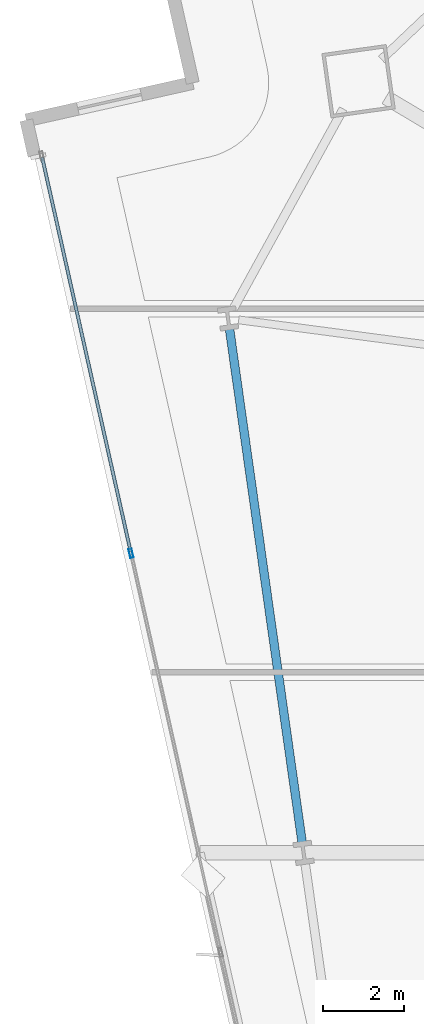
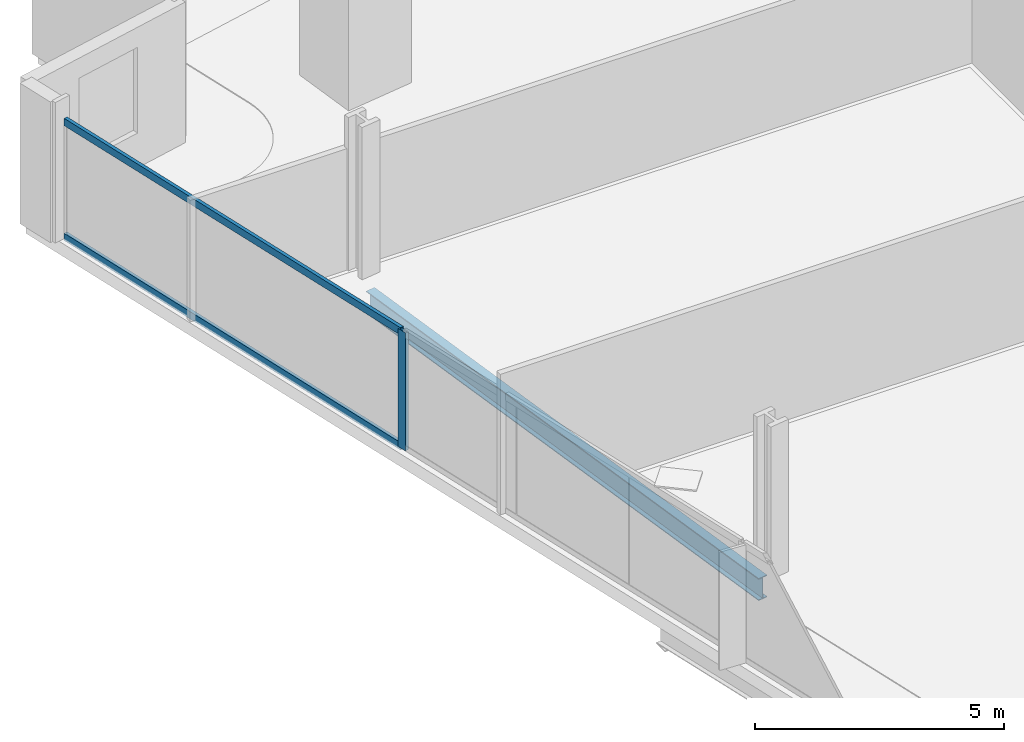
# One storey, part 12 of 32: 3 members, 1 beam, 1 element without a shape of its own.
"""IFC4 building model written with IfcOpenShell, lengths in metres."""

from ifc_helpers import new_model, si_unit, direction, frame, origin, origin_2d, place, context, subcontext, project, spatial, hollow_rectangle, i_section, extrude, material, material_profile, profile_set, type_object, element, aggregate, save


model = new_model("IFC4")

# Units and contexts
model_context = context("Model", 3, precision=1e-05, world=origin(), true_north=direction((0.0, 1.0)))
body_context = subcontext(model_context, "Body", "Model", "MODEL_VIEW")
ifc_project = project(units=[si_unit("LENGTHUNIT", "METRE"), si_unit("AREAUNIT", "SQUARE_METRE"), si_unit("VOLUMEUNIT", "CUBIC_METRE"), si_unit("PLANEANGLEUNIT", "RADIAN"), si_unit("MASSUNIT", "GRAM", prefix="KILO")], contexts=[model_context])

# Site, building, storey
site_placement = place(None, origin())
site = spatial("IfcSite", under=ifc_project, at=site_placement, CompositionType="ELEMENT")
building_placement = place(site_placement, origin())
building = spatial("IfcBuilding", under=site, at=building_placement, Name="Haldenkirk Collegiate Tower", CompositionType="ELEMENT")
storey_placement = place(building_placement, frame((0.0, 0.0, 70.199951171875)))
storey = spatial("IfcBuildingStorey", under=building, at=storey_placement, Name="L16", CompositionType="ELEMENT", Elevation=70.199951171875)

# Beam
ifc_material_1 = material(Name="Steel ASTM A992 Grade 50", Category="steel")
ifc_material_profile_1 = material_profile(ifc_material_1, i_section(OverallWidth=0.2119140625, OverallDepth=0.5439453125, WebThickness=0.01318359375, FlangeThickness=0.021240234375, at=origin_2d()), Name="W21X83")
ifc_profile_set_1 = profile_set([ifc_material_profile_1], Name="Steel ASTM A992 Grade 50")
beam_type = type_object("IfcBeamType", Name="BM-SPANDREL-W21X83", PredefinedType="SPANDREL", material=ifc_profile_set_1)
beam_placement = place(storey_placement, frame((10.30322265625, 35.951171875, -0.58203125), z_axis=(0.140049989419, -0.990144434143, 0.0), x_axis=(0.990144434143, 0.140049989419, 0.0)))
element("IfcBeam", 1, at=beam_placement, inside=storey, type_object=beam_type, Name="L16 perimeter spandrel beam 14", PredefinedType="SPANDREL", context=body_context, shape_type="SweptSolid", body=[
    extrude(i_section(OverallWidth=0.2119140625, OverallDepth=0.5439453125, WebThickness=0.01318359375, FlangeThickness=0.021240234375, at=origin_2d()), origin(), (0.0, 0.0, 1.0), 12.76220703125),
])

# Curtain wall, members
ifc_material_2 = material(Name="Anodised architectural bronze aluminium", Category="aluminium")
curtain_wall_type = type_object("IfcCurtainWallType", Name="CW-SYS1-CONVEX-LOW", PredefinedType="USERDEFINED", material=ifc_material_2)
curtain_wall_placement = place(storey_placement, origin())
curtain_wall = element("IfcCurtainWall", 2, at=curtain_wall_placement, inside=storey, type_object=curtain_wall_type, Name="L16 Lower tower convex bronze-framed unitised curtain wall", ObjectType="UNITISED CURTAIN WALL", PredefinedType="USERDEFINED")
ifc_material_profile_2 = material_profile(ifc_material_2, hollow_rectangle(XDim=0.080078125, YDim=0.219970703125, WallThickness=0.0048828125, at=origin_2d()), Name="CW-MUL-1A")
ifc_profile_set_2 = profile_set([ifc_material_profile_2], Name="Anodised architectural bronze aluminium")
member_type_1 = type_object("IfcMemberType", Name="CW-MUL-1A", PredefinedType="MULLION", material=ifc_profile_set_2)
member_1_placement = place(storey_placement, frame((7.877197265625, 30.429931640625, 0.0), z_axis=(0.0, 0.0, 1.0), x_axis=(-0.975726030258, -0.218994780479, 0.0)))
member_1 = element("IfcMember", 3, at=member_1_placement, type_object=member_type_1, Name="CW-1A mullion 4", PredefinedType="MULLION", context=body_context, shape_type="SweptSolid", body=[
    extrude(hollow_rectangle(XDim=0.080078125, YDim=0.219970703125, WallThickness=0.0048828125, at=origin_2d()), origin(), (0.0, 0.0, 1.0), 2.89111328125),
])
ifc_material_profile_3 = material_profile(ifc_material_2, hollow_rectangle(XDim=0.080078125, YDim=0.179931640625, WallThickness=0.0048828125, at=origin_2d()), Name="CW-TRN-1A")
ifc_profile_set_3 = profile_set([ifc_material_profile_3], Name="Anodised architectural bronze aluminium")
member_type_2 = type_object("IfcMemberType", Name="CW-TRN-1A", PredefinedType="USERDEFINED", material=ifc_profile_set_3)
member_2_placement = place(storey_placement, frame((7.868408203125, 30.468994140625, 0.0400390625), z_axis=(-0.218993047581, 0.975726419193, 0.0), x_axis=(-0.975726419193, -0.218993047581, 0.0)))
member_2 = element("IfcMember", 4, at=member_2_placement, type_object=member_type_2, Name="CW-1A transom 4.1", ObjectType="TRANSOM", PredefinedType="USERDEFINED", context=body_context, shape_type="SweptSolid", body=[
    extrude(hollow_rectangle(XDim=0.080078125, YDim=0.179931640625, WallThickness=0.0048828125, at=origin_2d()), origin(), (0.0, 0.0, 1.0), 9.94873046875),
])
member_3_placement = place(storey_placement, frame((7.868408203125, 30.468994140625, 2.85107421875), z_axis=(-0.218993047581, 0.975726419193, 0.0), x_axis=(-0.975726419193, -0.218993047581, 0.0)))
member_3 = element("IfcMember", 5, at=member_3_placement, type_object=member_type_2, Name="CW-1A transom 4.2", ObjectType="TRANSOM", PredefinedType="USERDEFINED", context=body_context, shape_type="SweptSolid", body=[
    extrude(hollow_rectangle(XDim=0.080078125, YDim=0.179931640625, WallThickness=0.0048828125, at=origin_2d()), origin(), (0.0, 0.0, 1.0), 9.94873046875),
])
aggregate(curtain_wall, [member_1, member_2, member_3])

save(model, "model.ifc")
